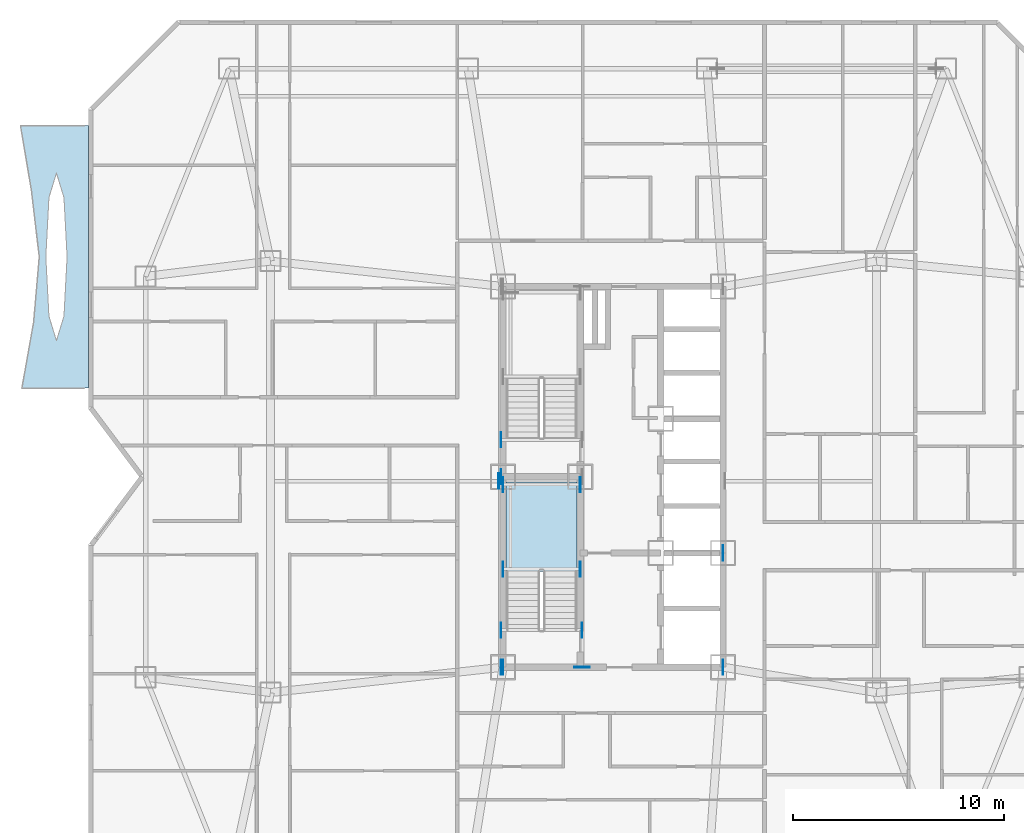
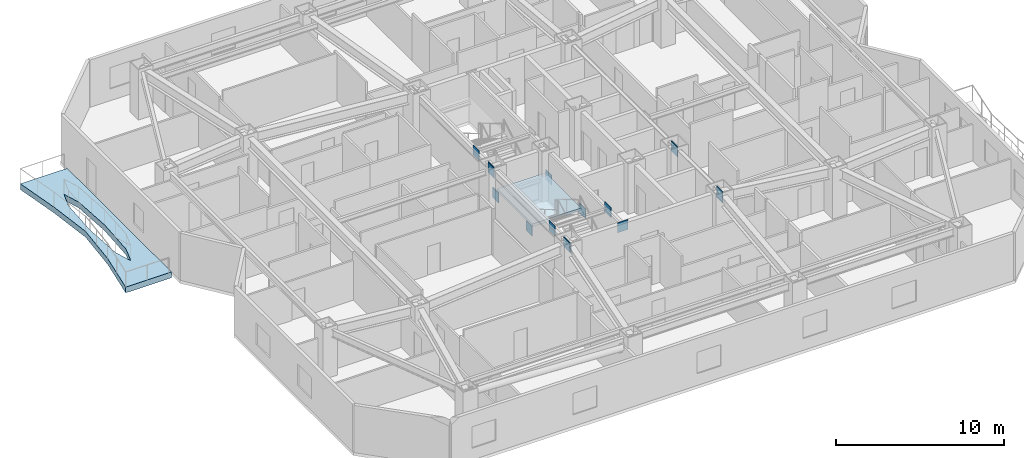
# One storey, part 2 of 14: 15 plates, 2 slabs, 1 element without a shape of its own.
"""IFC4 building model written with IfcOpenShell, lengths in metres."""

from ifc_helpers import new_model, si_unit, direction, frame, origin, origin_2d, place, context, subcontext, project, spatial, polyline, rectangle, outline, extrude, material, layer, layer_set, type_object, element, aggregate, save


model = new_model("IFC4")

# Units and contexts
model_context = context("Model", 3, precision=1e-05, world=origin(), true_north=direction((0.0, 1.0)))
body_context = subcontext(model_context, "Body", "Model", "MODEL_VIEW")
ifc_project = project(units=[si_unit("LENGTHUNIT", "METRE"), si_unit("AREAUNIT", "SQUARE_METRE"), si_unit("VOLUMEUNIT", "CUBIC_METRE"), si_unit("PLANEANGLEUNIT", "RADIAN"), si_unit("MASSUNIT", "GRAM", prefix="KILO")], contexts=[model_context])

# Site, building, storey
site_placement = place(None, origin())
site = spatial("IfcSite", under=ifc_project, at=site_placement, CompositionType="ELEMENT")
building_placement = place(site_placement, origin())
building = spatial("IfcBuilding", under=site, at=building_placement, Name="Khamvora Tower", CompositionType="ELEMENT")
storey_placement = place(building_placement, frame((0.0, 0.0, 123.800048828125)))
storey = spatial("IfcBuildingStorey", under=building, at=storey_placement, Name="L31", CompositionType="ELEMENT", Elevation=123.800048828125)

# Plates
ifc_material_1 = material(Name="Steel S460", Category="steel")
ifc_layer_1 = layer(ifc_material_1, 0.034912109375)
ifc_layer_set_1 = layer_set([ifc_layer_1], Name="Steel S460")
plate_type = type_object("IfcPlateType", Name="PL-EMB-35", PredefinedType="SHEET", material=ifc_layer_set_1)
for number, where, z_axis, x_axis, name in (
    (1, (29.0, 23.635009765625, 1.1337890625), (0.0, 0.0, 1.0), (1.0, 0.0, 0.0), "L31 core shear wall cast-in embed plate 0908"),
    (2, (32.64990234375, 23.635009765625, 1.1337890625), (0.0, 0.0, 1.0), (1.0, 0.0, 0.0), "L31 core shear wall cast-in embed plate 0909"),
    (3, (29.0, 27.6298828125, 1.1337890625), (0.0, 0.0, 1.0), (1.0, 0.0, 0.0), "L31 core shear wall cast-in embed plate 0910"),
    (4, (32.64990234375, 27.6298828125, 1.1337890625), (0.0, 0.0, 1.0), (1.0, 0.0, 0.0), "L31 core shear wall cast-in embed plate 0911"),
    (5, (29.0, 19.0, 2.68408203125), (0.0, 0.0, 1.0), (1.0, 0.0, 0.0), "L31 core shear wall cast-in embed plate 0917"),
    (6, (39.39990234375, 19.0, 2.68408203125), (0.0, 0.0, 1.0), (1.0, 0.0, 0.0), "L31 core shear wall cast-in embed plate 0918"),
    (7, (28.89990234375, 19.0, 2.80419921875), (0.0, 0.0, 1.0), (1.0, 0.0, 0.0), "L31 core shear wall cast-in embed plate 0921"),
    (8, (28.89990234375, 28.0, 2.80419921875), (0.0, 0.0, 1.0), (1.0, 0.0, 0.0), "L31 core shear wall cast-in embed plate 0922"),
):
    element("IfcPlate", number, at=place(storey_placement, frame(where, z_axis=z_axis, x_axis=x_axis)), inside=storey, type_object=plate_type, Name=name, PredefinedType="SHEET", context=body_context, shape_type="SweptSolid", body=[
        extrude(rectangle(XDim=0.034912109375, YDim=0.719970703125, at=origin_2d()), origin(), (0.0, 0.0, 1.0), 0.719970703125),
    ])
plate_placement = place(storey_placement, frame((32.72998046875, 19.0, 2.80419921875), z_axis=(0.0, 0.0, 1.0), x_axis=(1.0, 0.0, 0.0)))
element("IfcPlate", 9, at=plate_placement, inside=storey, type_object=plate_type, Name="L31 core shear wall cast-in embed plate 0924", PredefinedType="SHEET", context=body_context, shape_type="SweptSolid", body=[
    extrude(rectangle(XDim=0.719970703125, YDim=0.034912109375, at=origin_2d()), origin(), (0.0, 0.0, 1.0), 0.719970703125),
])
for number, where, z_axis, x_axis, name in (
    (10, (39.39990234375, 19.0, 2.80419921875), (0.0, 0.0, 1.0), (1.0, 0.0, 0.0), "L31 core shear wall cast-in embed plate 0927"),
    (11, (39.39990234375, 24.39990234375, 2.80419921875), (0.0, 0.0, 1.0), (1.0, 0.0, 0.0), "L31 core shear wall cast-in embed plate 0928"),
    (12, (28.89990234375, 20.75, 2.94384765625), (0.0, 0.0, 1.0), (1.0, 0.0, 0.0), "L31 core shear wall cast-in embed plate 0930"),
    (13, (32.72998046875, 20.75, 2.94384765625), (0.0, 0.0, 1.0), (1.0, 0.0, 0.0), "L31 core shear wall cast-in embed plate 0931"),
    (14, (28.89990234375, 29.75, 2.94384765625), (0.0, 0.0, 1.0), (1.0, 0.0, 0.0), "L31 core shear wall cast-in embed plate 0932"),
    (15, (28.800048828125, 27.800048828125, 2.89306640625), (0.0, 0.0, 1.0), (1.0, 0.0, 0.0), "L31 core shear wall cast-in embed plate 0934"),
):
    element("IfcPlate", number, at=place(storey_placement, frame(where, z_axis=z_axis, x_axis=x_axis)), inside=storey, type_object=plate_type, Name=name, PredefinedType="SHEET", context=body_context, shape_type="SweptSolid", body=[
        extrude(rectangle(XDim=0.034912109375, YDim=0.719970703125, at=origin_2d()), origin(), (0.0, 0.0, 1.0), 0.719970703125),
    ])

# Slab
ifc_material_2 = material(Name="Concrete C40/50", Category="concrete")
ifc_layer_2 = layer(ifc_material_2, 0.419921875)
ifc_layer_set_2 = layer_set([ifc_layer_2], Name="Concrete C40/50")
slab_type_1 = type_object("IfcSlabType", Name="SLB-GRD-420", PredefinedType="FLOOR", material=ifc_layer_set_2)
slab_1_placement = place(storey_placement, frame((0.0, 0.0, -0.420166015625)))
element("IfcSlab", 16, at=slab_1_placement, inside=storey, type_object=slab_type_1, Name="L31 external lens gallery slab WL2", PredefinedType="FLOOR", context=body_context, shape_type="SweptSolid", body=[
    extrude(outline(polyline([(9.39990234375, 32.199951171875), (9.39990234375, 44.60009765625), (6.18505859375, 44.60009765625), (6.7060546875, 41.5), (7.072021484375, 38.39990234375), (6.803955078125, 35.300048828125), (6.2529296875, 32.199951171875), (9.39990234375, 32.199951171875)]), holes=[polyline([(8.388916015625, 38.39990234375), (8.240966796875, 41.2060546875), (7.885009765625, 42.367919921875), (7.529052734375, 41.2060546875), (7.381103515625, 38.39990234375), (7.529052734375, 35.593994140625), (7.885009765625, 34.431884765625), (8.240966796875, 35.593994140625), (8.388916015625, 38.39990234375)])]), origin(), (0.0, 0.0, 1.0), 0.420166015625),
])

# Stair, slab
stair_type = type_object("IfcStairType", Name="STR-ST-01", PredefinedType="HALF_TURN_STAIR", material=ifc_material_2)
stair_placement = place(storey_placement, origin())
stair = element("IfcStair", 17, at=stair_placement, inside=storey, type_object=stair_type, Name="L31 South Tower Exit Stair ST-01", PredefinedType="HALF_TURN_STAIR")
ifc_layer_3 = layer(ifc_material_2, 0.199951171875)
ifc_layer_set_3 = layer_set([ifc_layer_3], Name="Concrete C40/50")
slab_type_2 = type_object("IfcSlabType", Name="SLB-LND-200", PredefinedType="LANDING", material=ifc_layer_set_3)
slab_2_placement = place(storey_placement, frame((0.0, 0.0, 1.625)))
slab_2 = element("IfcSlab", 18, at=slab_2_placement, type_object=slab_type_2, Name="ST-01 landing 1", PredefinedType="LANDING", context=body_context, shape_type="SweptSolid", body=[
    extrude(outline(polyline([(32.5, 23.514892578125), (32.5, 27.75), (29.14990234375, 27.75), (29.14990234375, 23.514892578125), (32.5, 23.514892578125)])), origin(), (0.0, 0.0, 1.0), 0.199951171875),
])
aggregate(stair, [slab_2])

save(model, "model.ifc")
